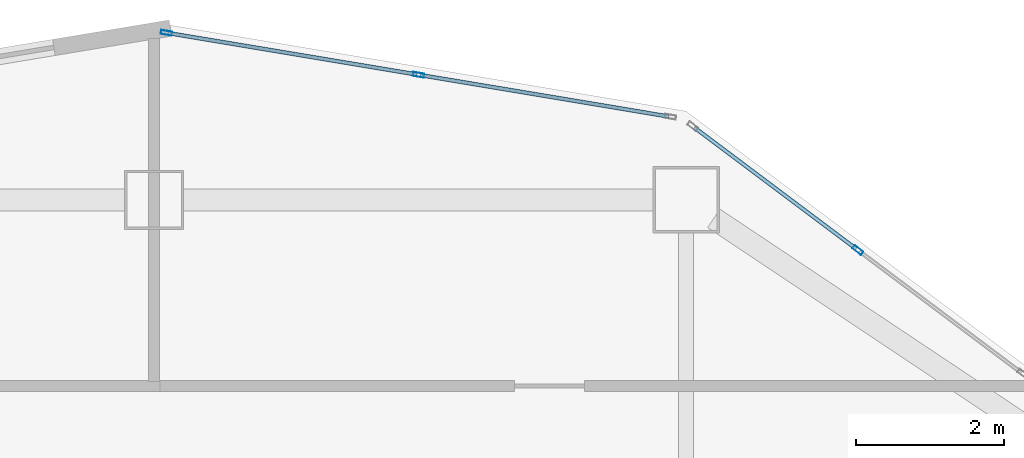
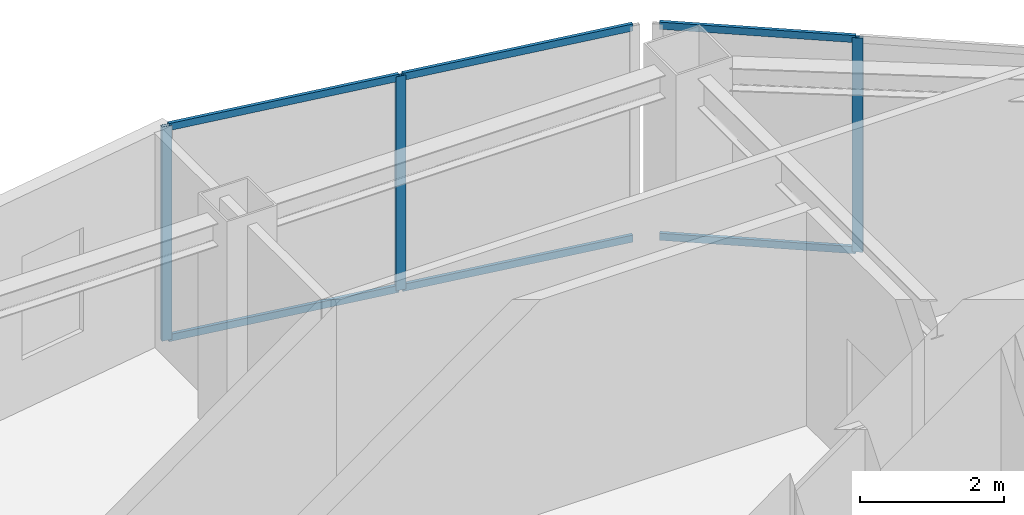
# One storey, part 2 of 10: 9 members, 2 elements without a shape of their own.
"""IFC4 building model written with IfcOpenShell, lengths in metres."""

from ifc_helpers import new_model, si_unit, direction, frame, origin, origin_2d, place, context, subcontext, project, spatial, hollow_rectangle, extrude, material, layer, layer_set, material_profile, profile_set, type_object, element, aggregate, save


model = new_model("IFC4")

# Units and contexts
model_context = context("Model", 3, precision=1e-05, world=origin(), true_north=direction((0.0, 1.0)))
body_context = subcontext(model_context, "Body", "Model", "MODEL_VIEW")
ifc_project = project(units=[si_unit("LENGTHUNIT", "METRE"), si_unit("AREAUNIT", "SQUARE_METRE"), si_unit("VOLUMEUNIT", "CUBIC_METRE"), si_unit("PLANEANGLEUNIT", "RADIAN"), si_unit("MASSUNIT", "GRAM", prefix="KILO")], contexts=[model_context])

# Site, building, storey
site_placement = place(None, origin())
site = spatial("IfcSite", under=ifc_project, at=site_placement, CompositionType="ELEMENT")
building_placement = place(site_placement, origin())
building = spatial("IfcBuilding", under=site, at=building_placement, Name="Haolan Belvedere Tower", CompositionType="ELEMENT")
storey_placement = place(building_placement, frame((0.0, 0.0, 180.39990234375)))
storey = spatial("IfcBuildingStorey", under=building, at=storey_placement, Name="L45", CompositionType="ELEMENT", Elevation=180.39990234375)

# Curtain wall, member
ifc_material_1 = material(Name="Anodised champagne-silver aluminium 6063-T6 and Low-E glass", Category="aluminium")
ifc_layer = layer(ifc_material_1, 0.14990234375, Name="Anodised champagne-silver aluminium 6063-T6 and Low-E glass")
ifc_layer_set = layer_set([ifc_layer], Name="Anodised champagne-silver aluminium 6063-T6 and Low-E glass")
curtain_wall_type = type_object("IfcCurtainWallType", Name="CW-SYS-04", PredefinedType="NOTDEFINED", material=ifc_layer_set)
curtain_wall_1_placement = place(storey_placement, origin())
curtain_wall_1 = element("IfcCurtainWall", 1, at=curtain_wall_1_placement, inside=storey, type_object=curtain_wall_type, Name="L45 CW-SYS-04 ribbon curtain wall 20.1", PredefinedType="NOTDEFINED")
ifc_material_2 = material(Name="Anodised aluminium 6063-T6", Category="aluminium")
ifc_material_profile_1 = material_profile(ifc_material_2, hollow_rectangle(XDim=0.055908203125, YDim=0.14990234375, WallThickness=0.00390625, at=origin_2d()), Name="Anodised aluminium 6063-T6")
ifc_profile_set_1 = profile_set([ifc_material_profile_1], Name="Anodised aluminium 6063-T6")
member_type_1 = type_object("IfcMemberType", Name="CW-SYS-04-MUL", PredefinedType="MULLION", material=ifc_profile_set_1)
member_1_placement = place(storey_placement, frame((47.9228515625, 49.720458984375, 0.0), z_axis=(0.0, 0.0, 1.0), x_axis=(-0.600002837806, -0.799997871638, 0.0)))
member_1 = element("IfcMember", 2, at=member_1_placement, type_object=member_type_1, Name="CW-04 mullion 2", PredefinedType="MULLION", context=body_context, shape_type="SweptSolid", body=[
    extrude(hollow_rectangle(XDim=0.055908203125, YDim=0.14990234375, WallThickness=0.00390625, at=origin_2d()), origin(), (0.0, 0.0, 1.0), 3.6201171875),
])

# Curtain wall, members
curtain_wall_2_placement = place(storey_placement, origin())
curtain_wall_2 = element("IfcCurtainWall", 3, at=curtain_wall_2_placement, inside=storey, type_object=curtain_wall_type, Name="L45 CW-SYS-04 ribbon curtain wall 21.1", PredefinedType="NOTDEFINED")
member_2_placement = place(storey_placement, frame((41.977783203125, 52.09228515625, 0.0), z_axis=(0.0, 0.0, 1.0), x_axis=(-0.164405962825, -0.98639276122, 0.0)))
member_2 = element("IfcMember", 4, at=member_2_placement, type_object=member_type_1, Name="CW-04 mullion 2", PredefinedType="MULLION", context=body_context, shape_type="SweptSolid", body=[
    extrude(hollow_rectangle(XDim=0.055908203125, YDim=0.14990234375, WallThickness=0.00390625, at=origin_2d()), origin(), (0.0, 0.0, 1.0), 3.6201171875),
])
member_3_placement = place(storey_placement, frame((38.565673828125, 52.660888671875, 0.0), z_axis=(0.0, 0.0, 1.0), x_axis=(-0.164405962825, -0.98639276122, 0.0)))
member_3 = element("IfcMember", 5, at=member_3_placement, type_object=member_type_1, Name="CW-04 mullion 3", PredefinedType="MULLION", context=body_context, shape_type="SweptSolid", body=[
    extrude(hollow_rectangle(XDim=0.055908203125, YDim=0.14990234375, WallThickness=0.00390625, at=origin_2d()), origin(), (0.0, 0.0, 1.0), 3.6201171875),
])

# Member
ifc_material_profile_2 = material_profile(ifc_material_2, hollow_rectangle(XDim=0.052001953125, YDim=0.1201171875, WallThickness=0.00390625, at=origin_2d()), Name="Anodised aluminium 6063-T6")
ifc_profile_set_2 = profile_set([ifc_material_profile_2], Name="Anodised aluminium 6063-T6")
member_type_2 = type_object("IfcMemberType", Name="CW-SYS-04-TRN", PredefinedType="USERDEFINED", material=ifc_profile_set_2)
member_4_placement = place(storey_placement, frame((47.900390625, 49.7373046875, 0.026123046875), z_axis=(-0.799978576274, 0.600028563905, 0.0), x_axis=(-0.600028563905, -0.799978576274, 0.0)))
member_4 = element("IfcMember", 6, at=member_4_placement, type_object=member_type_2, Name="CW-04 transom 2.1", ObjectType="TRANSOM", PredefinedType="USERDEFINED", context=body_context, shape_type="SweptSolid", body=[
    extrude(hollow_rectangle(XDim=0.052001953125, YDim=0.1201171875, WallThickness=0.00390625, at=origin_2d()), origin(), (0.0, 0.0, 1.0), 2.735107421875),
])

member_5_placement = place(storey_placement, frame((47.900390625, 49.7373046875, 3.593994140625), z_axis=(-0.799978576274, 0.600028563905, 0.0), x_axis=(-0.600028563905, -0.799978576274, 0.0)))
member_5 = element("IfcMember", 7, at=member_5_placement, type_object=member_type_2, Name="CW-04 transom 2.2", ObjectType="TRANSOM", PredefinedType="USERDEFINED", context=body_context, shape_type="SweptSolid", body=[
    extrude(hollow_rectangle(XDim=0.052001953125, YDim=0.1201171875, WallThickness=0.00390625, at=origin_2d()), origin(), (0.0, 0.0, 1.0), 2.735107421875),
])

aggregate(curtain_wall_1, [member_1, member_4, member_5])

member_6_placement = place(storey_placement, frame((45.362060546875, 51.528076171875, 0.026123046875), z_axis=(-0.986388106252, 0.164433888976, 0.0), x_axis=(-0.164433888976, -0.986388106252, 0.0)))
member_6 = element("IfcMember", 8, at=member_6_placement, type_object=member_type_2, Name="CW-04 transom 1.1", ObjectType="TRANSOM", PredefinedType="USERDEFINED", context=body_context, shape_type="SweptSolid", body=[
    extrude(hollow_rectangle(XDim=0.052001953125, YDim=0.1201171875, WallThickness=0.00390625, at=origin_2d()), origin(), (0.0, 0.0, 1.0), 3.403076171875),
])

member_7_placement = place(storey_placement, frame((45.362060546875, 51.528076171875, 3.593994140625), z_axis=(-0.986388106252, 0.164433888976, 0.0), x_axis=(-0.164433888976, -0.986388106252, 0.0)))
member_7 = element("IfcMember", 9, at=member_7_placement, type_object=member_type_2, Name="CW-04 transom 1.2", ObjectType="TRANSOM", PredefinedType="USERDEFINED", context=body_context, shape_type="SweptSolid", body=[
    extrude(hollow_rectangle(XDim=0.052001953125, YDim=0.1201171875, WallThickness=0.00390625, at=origin_2d()), origin(), (0.0, 0.0, 1.0), 3.403076171875),
])

member_8_placement = place(storey_placement, frame((41.9501953125, 52.096923828125, 0.026123046875), z_axis=(-0.986401678227, 0.164352454169, 0.0), x_axis=(-0.164352454169, -0.986401678227, 0.0)))
member_8 = element("IfcMember", 10, at=member_8_placement, type_object=member_type_2, Name="CW-04 transom 2.1", ObjectType="TRANSOM", PredefinedType="USERDEFINED", context=body_context, shape_type="SweptSolid", body=[
    extrude(hollow_rectangle(XDim=0.052001953125, YDim=0.1201171875, WallThickness=0.00390625, at=origin_2d()), origin(), (0.0, 0.0, 1.0), 3.4033203125),
])

member_9_placement = place(storey_placement, frame((41.9501953125, 52.096923828125, 3.593994140625), z_axis=(-0.986401678227, 0.164352454169, 0.0), x_axis=(-0.164352454169, -0.986401678227, 0.0)))
member_9 = element("IfcMember", 11, at=member_9_placement, type_object=member_type_2, Name="CW-04 transom 2.2", ObjectType="TRANSOM", PredefinedType="USERDEFINED", context=body_context, shape_type="SweptSolid", body=[
    extrude(hollow_rectangle(XDim=0.052001953125, YDim=0.1201171875, WallThickness=0.00390625, at=origin_2d()), origin(), (0.0, 0.0, 1.0), 3.4033203125),
])

aggregate(curtain_wall_2, [member_2, member_3, member_6, member_7, member_8, member_9])

save(model, "model.ifc")
